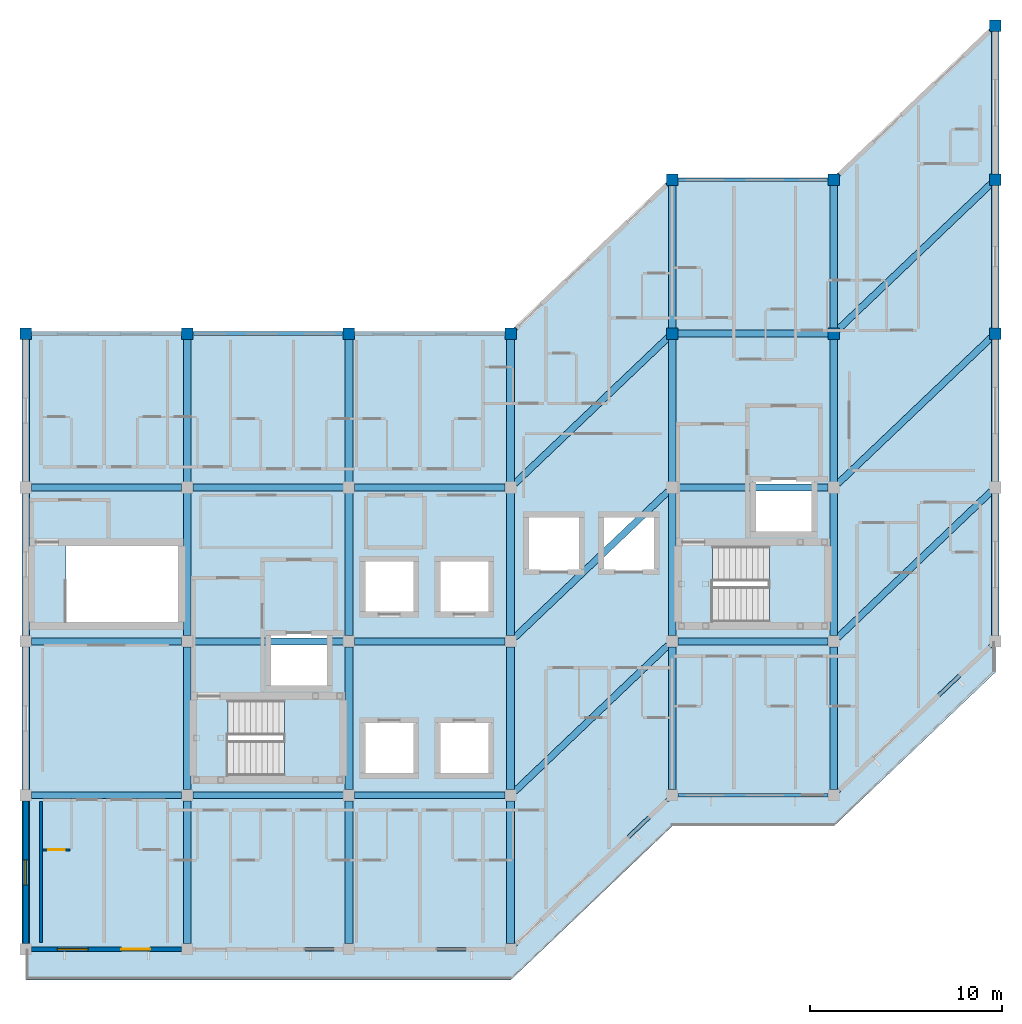
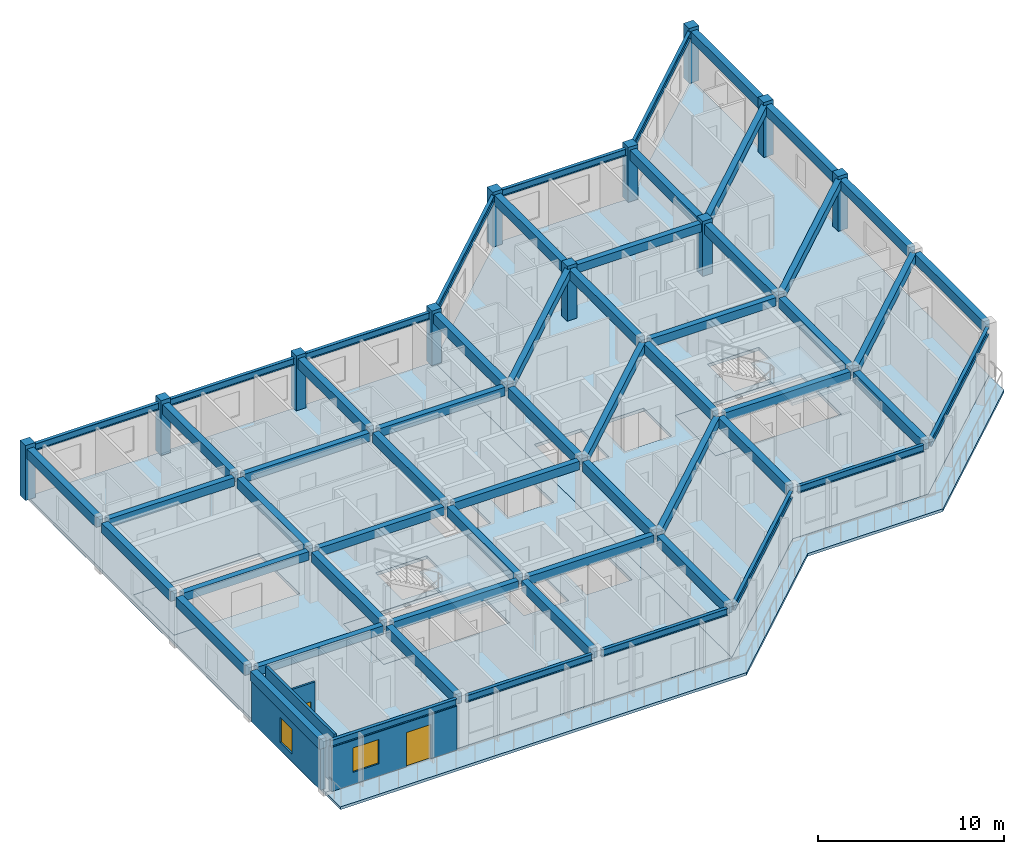
# One storey, part 3 of 14: 58 beams, 11 columns, 8 slabs, 4 walls, 2 doors, 2 windows, 4 openings, 2 elements without a shape of their own.
"""IFC4 building model written with IfcOpenShell, lengths in metres."""

from ifc_helpers import new_model, si_unit, direction, frame, frame_2d, origin, origin_2d, place, context, subcontext, project, spatial, polyline, rectangle, i_section, outline, extrude, material, layer, layer_set, material_profile, profile_set, type_object, element, fill, aggregate, save


model = new_model("IFC4")

# Units and contexts
model_context = context("Model", 3, precision=1e-05, world=origin(), true_north=direction((0.0, 1.0)))
body_context = subcontext(model_context, "Body", "Model", "MODEL_VIEW")
ifc_project = project(units=[si_unit("LENGTHUNIT", "METRE"), si_unit("AREAUNIT", "SQUARE_METRE"), si_unit("VOLUMEUNIT", "CUBIC_METRE"), si_unit("PLANEANGLEUNIT", "RADIAN"), si_unit("MASSUNIT", "GRAM", prefix="KILO")], contexts=[model_context])

# Site, building, storey
site_placement = place(None, origin())
site = spatial("IfcSite", under=ifc_project, at=site_placement, CompositionType="ELEMENT")
building_placement = place(site_placement, origin())
building = spatial("IfcBuilding", under=site, at=building_placement, Name="Naruveol Harbour Congress Hotel", CompositionType="ELEMENT")
storey_placement = place(building_placement, frame((0.0, 0.0, 39.60009765625)))
storey = spatial("IfcBuildingStorey", under=building, at=storey_placement, Name="L09", CompositionType="ELEMENT", Elevation=39.60009765625)

# Columns
ifc_material_1 = material(Name="Concrete C40/50", Category="concrete")
ifc_material_profile_1 = material_profile(ifc_material_1, rectangle(XDim=0.60009765625, YDim=0.60009765625, at=origin_2d()), Name="RC-600x600")
ifc_profile_set_1 = profile_set([ifc_material_profile_1], Name="Concrete C40/50")
column_type = type_object("IfcColumnType", Name="RC UPPER COLUMN 600X600", PredefinedType="COLUMN", material=ifc_profile_set_1)
for number, where, z_axis, x_axis, name in (
    (1, (117.60009765625, 32.0, 0.0), (0.0, 0.0, 1.0), (1.0, 0.0, 0.0), "Column C-600 L09 (117.6,32.0)"),
    (2, (126.0, 32.0, 0.0), (0.0, 0.0, 1.0), (1.0, 0.0, 0.0), "Column C-600 L09 (126.0,32.0)"),
    (3, (134.39990234375, 32.0, 0.0), (0.0, 0.0, 1.0), (1.0, 0.0, 0.0), "Column C-600 L09 (134.4,32.0)"),
    (4, (142.800048828125, 32.0, 0.0), (0.0, 0.0, 1.0), (1.0, 0.0, 0.0), "Column C-600 L09 (142.8,32.0)"),
    (5, (151.199951171875, 40.0, 0.0), (0.0, 0.0, 1.0), (1.0, 0.0, 0.0), "Column C-600 L09 (151.2,40.0)"),
    (6, (159.60009765625, 40.0, 0.0), (0.0, 0.0, 1.0), (1.0, 0.0, 0.0), "Column C-600 L09 (159.6,40.0)"),
    (7, (168.0, 32.0, 0.0), (0.0, 0.0, 1.0), (1.0, 0.0, 0.0), "Column C-600 L09 (168.0,32.0)"),
    (8, (168.0, 48.0, 0.0), (0.0, 0.0, 1.0), (1.0, 0.0, 0.0), "Column C-600 L09 (168.0,48.0)"),
    (9, (151.199951171875, 32.0, 0.0), (0.0, 0.0, 1.0), (1.0, 0.0, 0.0), "Planted hotel column C-600 L09 S4/J3"),
    (10, (159.60009765625, 32.0, 0.0), (0.0, 0.0, 1.0), (1.0, 0.0, 0.0), "Planted hotel column C-600 L09 S5/J3"),
    (11, (168.0, 40.0, 0.0), (0.0, 0.0, 1.0), (1.0, 0.0, 0.0), "Planted hotel column C-600 L09 S6/J3"),
):
    element("IfcColumn", number, at=place(storey_placement, frame(where, z_axis=z_axis, x_axis=x_axis)), inside=storey, type_object=column_type, Name=name, PredefinedType="COLUMN", context=body_context, shape_type="SweptSolid", body=[
        extrude(rectangle(XDim=0.60009765625, YDim=0.60009765625, at=origin_2d()), origin(), (0.0, 0.0, 1.0), 3.599853515625),
    ])

# Beams
ifc_material_2 = material(Name="Concrete C40/50", Category="concrete")
ifc_material_profile_2 = material_profile(ifc_material_2, rectangle(XDim=0.39990234375, YDim=0.64990234375, at=origin_2d()), Name="RCB-400x650")
ifc_profile_set_2 = profile_set([ifc_material_profile_2], Name="Concrete C40/50")
beam_type_1 = type_object("IfcBeamType", Name="RC HOTEL BEAM 400X650", PredefinedType="BEAM", material=ifc_profile_set_2)
for number, where, z_axis, x_axis, name in (
    (12, (117.60009765625, 0.2958984375, 3.014892578125), (0.0, 1.0, 0.0), (-1.0, 0.0, 0.0), "Hotel transverse beam L10 CB4"),
    (13, (117.60009765625, 8.2958984375, 3.014892578125), (0.0, 1.0, 0.0), (-1.0, 0.0, 0.0), "Hotel transverse beam L10 CB4"),
    (14, (117.60009765625, 16.2958984375, 3.014892578125), (0.0, 1.0, 0.0), (-1.0, 0.0, 0.0), "Hotel transverse beam L10 CB4"),
    (15, (117.60009765625, 24.2958984375, 3.014892578125), (0.0, 1.0, 0.0), (-1.0, 0.0, 0.0), "Hotel transverse beam L10 CB4"),
    (16, (126.0, 0.2958984375, 3.014892578125), (0.0, 1.0, 0.0), (-1.0, 0.0, 0.0), "Hotel transverse beam L10 CB4"),
    (17, (126.0, 8.2958984375, 3.014892578125), (0.0, 1.0, 0.0), (-1.0, 0.0, 0.0), "Hotel transverse beam L10 CB4"),
    (18, (126.0, 16.2958984375, 3.014892578125), (0.0, 1.0, 0.0), (-1.0, 0.0, 0.0), "Hotel transverse beam L10 CB4"),
    (19, (126.0, 24.2958984375, 3.014892578125), (0.0, 1.0, 0.0), (-1.0, 0.0, 0.0), "Hotel transverse beam L10 CB4"),
    (20, (134.39990234375, 0.2958984375, 3.06494140625), (0.0, 1.0, 0.0), (-1.0, 0.0, 0.0), "Hotel transverse beam L10 CB4"),
    (21, (134.39990234375, 8.2958984375, 3.06494140625), (0.0, 1.0, 0.0), (-1.0, 0.0, 0.0), "Hotel transverse beam L10 CB4"),
    (22, (134.39990234375, 16.2958984375, 3.06494140625), (0.0, 1.0, 0.0), (-1.0, 0.0, 0.0), "Hotel transverse beam L10 CB4"),
    (23, (134.39990234375, 24.2958984375, 3.06494140625), (0.0, 1.0, 0.0), (-1.0, 0.0, 0.0), "Hotel transverse beam L10 CB4"),
    (24, (142.800048828125, 0.2958984375, 3.06494140625), (0.0, 1.0, 0.0), (-1.0, 0.0, 0.0), "Hotel transverse beam L10 CB4"),
    (25, (142.800048828125, 8.2958984375, 3.06494140625), (0.0, 1.0, 0.0), (-1.0, 0.0, 0.0), "Hotel transverse beam L10 CB4"),
    (26, (142.800048828125, 16.2958984375, 3.06494140625), (0.0, 1.0, 0.0), (-1.0, 0.0, 0.0), "Hotel transverse beam L10 CB4"),
    (27, (142.800048828125, 24.2958984375, 3.06494140625), (0.0, 1.0, 0.0), (-1.0, 0.0, 0.0), "Hotel transverse beam L10 CB4"),
    (28, (151.199951171875, 8.2958984375, 3.06494140625), (0.0, 1.0, 0.0), (-1.0, 0.0, 0.0), "Hotel transverse beam L10 CB4"),
    (29, (151.199951171875, 16.2958984375, 3.06494140625), (0.0, 1.0, 0.0), (-1.0, 0.0, 0.0), "Hotel transverse beam L10 CB4"),
    (30, (151.199951171875, 24.2958984375, 3.06494140625), (0.0, 1.0, 0.0), (-1.0, 0.0, 0.0), "Hotel transverse beam L10 CB4"),
    (31, (151.199951171875, 32.2958984375, 3.06494140625), (0.0, 1.0, 0.0), (-1.0, 0.0, 0.0), "Hotel transverse beam L10 CB4"),
    (32, (159.60009765625, 8.2958984375, 3.06494140625), (0.0, 1.0, 0.0), (-1.0, 0.0, 0.0), "Hotel transverse beam L10 CB4"),
    (33, (159.60009765625, 16.2958984375, 3.06494140625), (0.0, 1.0, 0.0), (-1.0, 0.0, 0.0), "Hotel transverse beam L10 CB4"),
    (34, (159.60009765625, 24.2958984375, 3.06494140625), (0.0, 1.0, 0.0), (-1.0, 0.0, 0.0), "Hotel transverse beam L10 CB4"),
    (35, (159.60009765625, 32.2958984375, 3.06494140625), (0.0, 1.0, 0.0), (-1.0, 0.0, 0.0), "Hotel transverse beam L10 CB4"),
    (36, (168.0, 16.2958984375, 3.06494140625), (0.0, 1.0, 0.0), (-1.0, 0.0, 0.0), "Hotel transverse beam L10 CB4"),
    (37, (168.0, 24.2958984375, 3.06494140625), (0.0, 1.0, 0.0), (-1.0, 0.0, 0.0), "Hotel transverse beam L10 CB4"),
    (38, (168.0, 32.2958984375, 3.06494140625), (0.0, 1.0, 0.0), (-1.0, 0.0, 0.0), "Hotel transverse beam L10 CB4"),
    (39, (168.0, 40.2958984375, 3.06494140625), (0.0, 1.0, 0.0), (-1.0, 0.0, 0.0), "Hotel transverse beam L10 CB4"),
):
    element("IfcBeam", number, at=place(storey_placement, frame(where, z_axis=z_axis, x_axis=x_axis)), inside=storey, type_object=beam_type_1, Name=name, PredefinedType="BEAM", context=body_context, shape_type="SweptSolid", body=[
        extrude(rectangle(XDim=0.39990234375, YDim=0.64990234375, at=origin_2d()), origin(), (0.0, 0.0, 1.0), 7.408203125),
    ])
ifc_material_3 = material(Name="Concrete C40/50", Category="concrete")
ifc_material_profile_3 = material_profile(ifc_material_3, rectangle(XDim=0.35009765625, YDim=0.550048828125, at=origin_2d()), Name="RCB-350x550")
ifc_profile_set_3 = profile_set([ifc_material_profile_3], Name="Concrete C40/50")
beam_type_2 = type_object("IfcBeamType", Name="RC SECONDARY BEAM 350X550", PredefinedType="JOIST", material=ifc_profile_set_3)
for number, where, z_axis, x_axis, name in (
    (40, (117.89599609375, 8.0, 3.06494140625), (1.0, 0.0, 0.0), (0.0, 1.0, 0.0), "Hotel chord beam L10 CJ1"),
    (41, (117.89599609375, 16.0, 3.06494140625), (1.0, 0.0, 0.0), (0.0, 1.0, 0.0), "Hotel chord beam L10 CJ1"),
    (42, (117.89599609375, 24.0, 3.06494140625), (1.0, 0.0, 0.0), (0.0, 1.0, 0.0), "Hotel chord beam L10 CJ1"),
    (43, (126.2958984375, 8.0, 3.06494140625), (1.0, 0.0, 0.0), (0.0, 1.0, 0.0), "Hotel chord beam L10 CJ1"),
    (44, (126.2958984375, 16.0, 3.06494140625), (1.0, 0.0, 0.0), (0.0, 1.0, 0.0), "Hotel chord beam L10 CJ1"),
    (45, (126.2958984375, 24.0, 3.06494140625), (1.0, 0.0, 0.0), (0.0, 1.0, 0.0), "Hotel chord beam L10 CJ1"),
):
    element("IfcBeam", number, at=place(storey_placement, frame(where, z_axis=z_axis, x_axis=x_axis)), inside=storey, type_object=beam_type_2, Name=name, PredefinedType="JOIST", context=body_context, shape_type="SweptSolid", body=[
        extrude(rectangle(XDim=0.35009765625, YDim=0.550048828125, at=origin_2d()), origin(), (0.0, 0.0, 1.0), 7.80810546875),
    ])
for number, where, z_axis, x_axis, name in (
    (46, (134.696044921875, 8.0, 3.114990234375), (1.0, 0.0, 0.0), (0.0, 1.0, 0.0), "Hotel chord beam L10 CJ1"),
    (47, (134.696044921875, 16.0, 3.114990234375), (1.0, 0.0, 0.0), (0.0, 1.0, 0.0), "Hotel chord beam L10 CJ1"),
    (48, (134.696044921875, 24.0, 3.114990234375), (1.0, 0.0, 0.0), (0.0, 1.0, 0.0), "Hotel chord beam L10 CJ1"),
):
    element("IfcBeam", number, at=place(storey_placement, frame(where, z_axis=z_axis, x_axis=x_axis)), inside=storey, type_object=beam_type_2, Name=name, PredefinedType="JOIST", context=body_context, shape_type="SweptSolid", body=[
        extrude(rectangle(XDim=0.35009765625, YDim=0.550048828125, at=origin_2d()), origin(), (0.0, 0.0, 1.0), 7.807861328125),
    ])
for number, where, z_axis, x_axis, name in (
    (49, (143.014404296875, 8.2041015625, 3.114990234375), (0.724129492057, 0.689664033231, 0.0), (-0.689664033231, 0.724129492057, 0.0), "Hotel chord beam L10 CJ1"),
    (50, (143.014404296875, 16.2041015625, 3.114990234375), (0.724129492057, 0.689664033231, 0.0), (-0.689664033231, 0.724129492057, 0.0), "Hotel chord beam L10 CJ1"),
    (51, (143.014404296875, 24.2041015625, 3.114990234375), (0.724129492057, 0.689664033231, 0.0), (-0.689664033231, 0.724129492057, 0.0), "Hotel chord beam L10 CJ1"),
):
    element("IfcBeam", number, at=place(storey_placement, frame(where, z_axis=z_axis, x_axis=x_axis)), inside=storey, type_object=beam_type_2, Name=name, PredefinedType="JOIST", context=body_context, shape_type="SweptSolid", body=[
        extrude(rectangle(XDim=0.35009765625, YDim=0.550048828125, at=origin_2d()), origin(), (0.0, 0.0, 1.0), 11.008056640625),
    ])
for number, where, z_axis, x_axis, name in (
    (52, (151.49609375, 16.0, 3.114990234375), (1.0, 0.0, 0.0), (0.0, 1.0, 0.0), "Hotel chord beam L10 CJ1"),
    (53, (151.49609375, 24.0, 3.114990234375), (1.0, 0.0, 0.0), (0.0, 1.0, 0.0), "Hotel chord beam L10 CJ1"),
    (54, (151.49609375, 32.0, 3.114990234375), (1.0, 0.0, 0.0), (0.0, 1.0, 0.0), "Hotel chord beam L10 CJ1"),
):
    element("IfcBeam", number, at=place(storey_placement, frame(where, z_axis=z_axis, x_axis=x_axis)), inside=storey, type_object=beam_type_2, Name=name, PredefinedType="JOIST", context=body_context, shape_type="SweptSolid", body=[
        extrude(rectangle(XDim=0.35009765625, YDim=0.550048828125, at=origin_2d()), origin(), (0.0, 0.0, 1.0), 7.807861328125),
    ])
for number, where, z_axis, x_axis, name in (
    (55, (159.814208984375, 16.2041015625, 3.114990234375), (0.724140040728, 0.689652957229, 0.0), (-0.689652957229, 0.724140040728, 0.0), "Hotel chord beam L10 CJ1"),
    (56, (159.814208984375, 24.2041015625, 3.114990234375), (0.724140040728, 0.689652957229, 0.0), (-0.689652957229, 0.724140040728, 0.0), "Hotel chord beam L10 CJ1"),
    (57, (159.814208984375, 32.2041015625, 3.114990234375), (0.724140040728, 0.689652957229, 0.0), (-0.689652957229, 0.724140040728, 0.0), "Hotel chord beam L10 CJ1"),
):
    element("IfcBeam", number, at=place(storey_placement, frame(where, z_axis=z_axis, x_axis=x_axis)), inside=storey, type_object=beam_type_2, Name=name, PredefinedType="JOIST", context=body_context, shape_type="SweptSolid", body=[
        extrude(rectangle(XDim=0.35009765625, YDim=0.550048828125, at=origin_2d()), origin(), (0.0, 0.0, 1.0), 11.008056640625),
    ])
ifc_material_4 = material(Name="Steel SN490", Category="steel")
ifc_material_profile_4 = material_profile(ifc_material_4, i_section(OverallWidth=0.199951171875, OverallDepth=0.449951171875, WebThickness=0.009033203125, FlangeThickness=0.013916015625, at=origin_2d()), Name="H-450x200x9x14")
ifc_profile_set_4 = profile_set([ifc_material_profile_4], Name="Steel SN490")
beam_type_3 = type_object("IfcBeamType", Name="STEEL SPANDREL EDGE BEAM H450", PredefinedType="SPANDREL", material=ifc_profile_set_4)
for number, where, z_axis, x_axis, name in (
    (58, (117.89599609375, 0.0, 3.114990234375), (1.0, 0.0, 0.0), (0.0, 1.0, 0.0), "Hotel chord beam L10 SPB2"),
    (59, (117.89599609375, 32.0, 3.114990234375), (1.0, 0.0, 0.0), (0.0, 1.0, 0.0), "Hotel chord beam L10 SPB2"),
    (60, (126.2958984375, 0.0, 3.114990234375), (1.0, 0.0, 0.0), (0.0, 1.0, 0.0), "Hotel chord beam L10 SPB2"),
    (61, (126.2958984375, 32.0, 3.114990234375), (1.0, 0.0, 0.0), (0.0, 1.0, 0.0), "Hotel chord beam L10 SPB2"),
):
    element("IfcBeam", number, at=place(storey_placement, frame(where, z_axis=z_axis, x_axis=x_axis)), inside=storey, type_object=beam_type_3, Name=name, PredefinedType="SPANDREL", context=body_context, shape_type="SweptSolid", body=[
        extrude(i_section(OverallWidth=0.199951171875, OverallDepth=0.449951171875, WebThickness=0.009033203125, FlangeThickness=0.013916015625, at=origin_2d()), origin(), (0.0, 0.0, 1.0), 7.80810546875),
    ])
for number, where, z_axis, x_axis, name in (
    (62, (134.696044921875, 0.0, 3.164794921875), (1.0, 0.0, 0.0), (0.0, 1.0, 0.0), "Hotel chord beam L10 SPB2"),
    (63, (134.696044921875, 32.0, 3.164794921875), (1.0, 0.0, 0.0), (0.0, 1.0, 0.0), "Hotel chord beam L10 SPB2"),
):
    element("IfcBeam", number, at=place(storey_placement, frame(where, z_axis=z_axis, x_axis=x_axis)), inside=storey, type_object=beam_type_3, Name=name, PredefinedType="SPANDREL", context=body_context, shape_type="SweptSolid", body=[
        extrude(i_section(OverallWidth=0.199951171875, OverallDepth=0.449951171875, WebThickness=0.009033203125, FlangeThickness=0.013916015625, at=origin_2d()), origin(), (0.0, 0.0, 1.0), 7.807861328125),
    ])
for number, where, z_axis, x_axis, name in (
    (64, (143.014404296875, 0.2041015625, 3.164794921875), (0.724129492057, 0.689664033231, 0.0), (-0.689664033231, 0.724129492057, 0.0), "Hotel chord beam L10 SPB2"),
    (65, (143.014404296875, 32.2041015625, 3.164794921875), (0.724129492057, 0.689664033231, 0.0), (-0.689664033231, 0.724129492057, 0.0), "Hotel chord beam L10 SPB2"),
):
    element("IfcBeam", number, at=place(storey_placement, frame(where, z_axis=z_axis, x_axis=x_axis)), inside=storey, type_object=beam_type_3, Name=name, PredefinedType="SPANDREL", context=body_context, shape_type="SweptSolid", body=[
        extrude(i_section(OverallWidth=0.199951171875, OverallDepth=0.449951171875, WebThickness=0.009033203125, FlangeThickness=0.013916015625, at=origin_2d()), origin(), (0.0, 0.0, 1.0), 11.008056640625),
    ])
for number, where, z_axis, x_axis, name in (
    (66, (151.49609375, 8.0, 3.164794921875), (1.0, 0.0, 0.0), (0.0, 1.0, 0.0), "Hotel chord beam L10 SPB2"),
    (67, (151.49609375, 40.0, 3.164794921875), (1.0, 0.0, 0.0), (0.0, 1.0, 0.0), "Hotel chord beam L10 SPB2"),
):
    element("IfcBeam", number, at=place(storey_placement, frame(where, z_axis=z_axis, x_axis=x_axis)), inside=storey, type_object=beam_type_3, Name=name, PredefinedType="SPANDREL", context=body_context, shape_type="SweptSolid", body=[
        extrude(i_section(OverallWidth=0.199951171875, OverallDepth=0.449951171875, WebThickness=0.009033203125, FlangeThickness=0.013916015625, at=origin_2d()), origin(), (0.0, 0.0, 1.0), 7.807861328125),
    ])
for number, where, z_axis, x_axis, name in (
    (68, (159.814208984375, 8.2041015625, 3.164794921875), (0.724140040728, 0.689652957229, 0.0), (-0.689652957229, 0.724140040728, 0.0), "Hotel chord beam L10 SPB2"),
    (69, (159.814208984375, 40.2041015625, 3.164794921875), (0.724140040728, 0.689652957229, 0.0), (-0.689652957229, 0.724140040728, 0.0), "Hotel chord beam L10 SPB2"),
):
    element("IfcBeam", number, at=place(storey_placement, frame(where, z_axis=z_axis, x_axis=x_axis)), inside=storey, type_object=beam_type_3, Name=name, PredefinedType="SPANDREL", context=body_context, shape_type="SweptSolid", body=[
        extrude(i_section(OverallWidth=0.199951171875, OverallDepth=0.449951171875, WebThickness=0.009033203125, FlangeThickness=0.013916015625, at=origin_2d()), origin(), (0.0, 0.0, 1.0), 11.008056640625),
    ])

# Slabs
ifc_material_5 = material(Name="Concrete C40/50", Category="concrete")
ifc_layer_1 = layer(ifc_material_5, 0.2099609375)
ifc_layer_set_1 = layer_set([ifc_layer_1], Name="Concrete C40/50")
slab_type_1 = type_object("IfcSlabType", Name="RC HOTEL UPPER FLOOR SLAB 210", PredefinedType="FLOOR", material=ifc_layer_set_1)
slab_1_placement = place(storey_placement, frame((0.0, 0.0, -0.210205078125)))
element("IfcSlab", 70, at=slab_1_placement, inside=storey, type_object=slab_type_1, Name="Level L09 Hotel W S-curve floor slab", PredefinedType="FLOOR", context=body_context, shape_type="SweptSolid", body=[
    extrude(outline(polyline([(117.60009765625, 0.0), (126.0, 0.0), (134.39990234375, 0.0), (142.800048828125, 0.0), (142.800048828125, 32.0), (134.39990234375, 32.0), (126.0, 32.0), (117.60009765625, 32.0), (117.60009765625, 0.0)]), holes=[polyline([(126.300048828125, 8.800048828125), (134.10009765625, 8.800048828125), (134.10009765625, 13.159912109375), (126.300048828125, 13.159912109375), (126.300048828125, 8.800048828125)]), polyline([(117.89990234375, 16.800048828125), (125.699951171875, 16.800048828125), (125.699951171875, 21.159912109375), (117.89990234375, 21.159912109375), (117.89990234375, 16.800048828125)]), polyline([(135.10009765625, 17.39990234375), (137.89990234375, 17.39990234375), (137.89990234375, 20.300048828125), (135.10009765625, 20.300048828125), (135.10009765625, 17.39990234375)]), polyline([(139.0, 17.39990234375), (141.800048828125, 17.39990234375), (141.800048828125, 20.300048828125), (139.0, 20.300048828125), (139.0, 17.39990234375)]), polyline([(135.10009765625, 9.0), (137.89990234375, 9.0), (137.89990234375, 11.89990234375), (135.10009765625, 11.89990234375), (135.10009765625, 9.0)]), polyline([(139.0, 9.0), (141.800048828125, 9.0), (141.800048828125, 11.89990234375), (139.0, 11.89990234375), (139.0, 9.0)]), polyline([(130.199951171875, 13.550048828125), (133.39990234375, 13.550048828125), (133.39990234375, 16.449951171875), (130.199951171875, 16.449951171875), (130.199951171875, 13.550048828125)])]), origin(), (0.0, 0.0, 1.0), 0.210205078125),
])
slab_2_placement = place(storey_placement, frame((0.0, 0.0, -0.210205078125)))
element("IfcSlab", 71, at=slab_2_placement, inside=storey, type_object=slab_type_1, Name="Level L09 Hotel E S-curve floor slab", PredefinedType="FLOOR", context=body_context, shape_type="SweptSolid", body=[
    extrude(outline(polyline([(142.800048828125, 0.0), (151.199951171875, 8.0), (159.60009765625, 8.0), (168.0, 16.0), (168.0, 48.0), (159.60009765625, 40.0), (151.199951171875, 40.0), (142.800048828125, 32.0), (142.800048828125, 0.0)]), holes=[polyline([(151.5, 16.800048828125), (159.300048828125, 16.800048828125), (159.300048828125, 21.159912109375), (151.5, 21.159912109375), (151.5, 16.800048828125)]), polyline([(155.39990234375, 21.550048828125), (158.60009765625, 21.550048828125), (158.60009765625, 24.449951171875), (155.39990234375, 24.449951171875), (155.39990234375, 21.550048828125)]), polyline([(143.60009765625, 19.60009765625), (146.5, 19.60009765625), (146.5, 22.60009765625), (143.60009765625, 22.60009765625), (143.60009765625, 19.60009765625)]), polyline([(147.5, 19.60009765625), (150.39990234375, 19.60009765625), (150.39990234375, 22.60009765625), (147.5, 22.60009765625), (147.5, 19.60009765625)])]), origin(), (0.0, 0.0, 1.0), 0.210205078125),
])
ifc_material_6 = material(Name="Concrete C40/50", Category="concrete")
ifc_layer_2 = layer(ifc_material_6, 0.179931640625)
ifc_layer_set_2 = layer_set([ifc_layer_2], Name="Concrete C40/50")
slab_type_2 = type_object("IfcSlabType", Name="RC STAIR HALF LANDING SLAB 180", PredefinedType="LANDING", material=ifc_layer_set_2)
slab_3_placement = place(storey_placement, frame((0.0, 0.0, -0.18017578125)))
element("IfcSlab", 72, at=slab_3_placement, inside=storey, type_object=slab_type_2, Name="Stair ST1 L09 floor landing", PredefinedType="LANDING", context=body_context, shape_type="SweptSolid", body=[
    extrude(outline(polyline([(126.300048828125, 8.800048828125), (128.10009765625, 8.800048828125), (128.10009765625, 13.159912109375), (126.300048828125, 13.159912109375), (126.300048828125, 8.800048828125)])), origin(), (0.0, 0.0, 1.0), 0.18017578125),
])

# Stair, slab
ifc_material_7 = material(Name="Concrete C40/50", Category="concrete")
stair_type = type_object("IfcStairType", Name="RC DOG LEG ESCAPE STAIR 1800W H3600", PredefinedType="HALF_TURN_STAIR", material=ifc_material_7)
stair_1_placement = place(storey_placement, origin())
stair_1 = element("IfcStair", 73, at=stair_1_placement, inside=storey, type_object=stair_type, Name="Special Escape Stair ST1 L09 to L10", PredefinedType="HALF_TURN_STAIR")
slab_4_placement = place(storey_placement, frame((0.0, 0.0, 1.619873046875)))
slab_4 = element("IfcSlab", 74, at=slab_4_placement, type_object=slab_type_2, Name="ST1 L09 half landing", PredefinedType="LANDING", context=body_context, shape_type="SweptSolid", body=[
    extrude(outline(polyline([(131.050048828125, 8.800048828125), (134.10009765625, 8.800048828125), (134.10009765625, 13.159912109375), (131.050048828125, 13.159912109375), (131.050048828125, 8.800048828125)])), origin(), (0.0, 0.0, 1.0), 0.179931640625),
])
aggregate(stair_1, [slab_4])

# Slab
slab_5_placement = place(storey_placement, frame((0.0, 0.0, -0.18017578125)))
element("IfcSlab", 75, at=slab_5_placement, inside=storey, type_object=slab_type_2, Name="Stair ST2 L09 floor landing", PredefinedType="LANDING", context=body_context, shape_type="SweptSolid", body=[
    extrude(outline(polyline([(151.5, 16.800048828125), (153.300048828125, 16.800048828125), (153.300048828125, 21.159912109375), (151.5, 21.159912109375), (151.5, 16.800048828125)])), origin(), (0.0, 0.0, 1.0), 0.18017578125),
])

# Stair, slab
stair_2_placement = place(storey_placement, origin())
stair_2 = element("IfcStair", 76, at=stair_2_placement, inside=storey, type_object=stair_type, Name="Special Escape Stair ST2 L09 to L10", PredefinedType="HALF_TURN_STAIR")
slab_6_placement = place(storey_placement, frame((0.0, 0.0, 1.619873046875)))
slab_6 = element("IfcSlab", 77, at=slab_6_placement, type_object=slab_type_2, Name="ST2 L09 half landing", PredefinedType="LANDING", context=body_context, shape_type="SweptSolid", body=[
    extrude(outline(polyline([(156.25, 16.800048828125), (159.300048828125, 16.800048828125), (159.300048828125, 21.159912109375), (156.25, 21.159912109375), (156.25, 16.800048828125)])), origin(), (0.0, 0.0, 1.0), 0.179931640625),
])
aggregate(stair_2, [slab_6])

# Slabs
slab_7_placement = place(storey_placement, frame((0.0, 0.0, -0.18017578125)))
element("IfcSlab", 78, at=slab_7_placement, inside=storey, type_object=slab_type_2, Name="Stair ST3 L09 floor landing", PredefinedType="LANDING", context=body_context, shape_type="SweptSolid", body=[
    extrude(outline(polyline([(117.89990234375, 16.800048828125), (119.699951171875, 16.800048828125), (119.699951171875, 21.159912109375), (117.89990234375, 21.159912109375), (117.89990234375, 16.800048828125)])), origin(), (0.0, 0.0, 1.0), 0.18017578125),
])
ifc_material_8 = material(Name="Concrete C40/50", Category="concrete")
ifc_layer_3 = layer(ifc_material_8, 0.179931640625)
ifc_layer_set_3 = layer_set([ifc_layer_3], Name="Concrete C40/50")
slab_type_3 = type_object("IfcSlabType", Name="RC TERRACE AND LANDING SLAB 180", PredefinedType="FLOOR", material=ifc_layer_set_3)
slab_8_placement = place(storey_placement, frame((0.0, 0.0, -0.18017578125)))
element("IfcSlab", 79, at=slab_8_placement, inside=storey, type_object=slab_type_3, Name="Level L09 Harbourfront brise-soleil balcony", PredefinedType="FLOOR", context=body_context, shape_type="SweptSolid", body=[
    extrude(outline(polyline([(117.60009765625, -1.60009765625), (126.0, -1.60009765625), (134.39990234375, -1.60009765625), (142.800048828125, -1.60009765625), (151.199951171875, 6.39990234375), (159.60009765625, 6.39990234375), (168.0, 14.39990234375), (168.0, 15.9951171875), (159.60009765625, 7.9951171875), (151.199951171875, 7.9951171875), (142.800048828125, -0.0048828125), (134.39990234375, -0.0048828125), (126.0, -0.0048828125), (117.60009765625, -0.0048828125), (117.60009765625, -1.60009765625)])), origin(), (0.0, 0.0, 1.0), 0.18017578125),
])

# Wall, opening, window
ifc_material_9 = material(Name="Precast concrete C40/50", Category="concrete")
ifc_layer_4 = layer(ifc_material_9, 0.280029296875)
ifc_layer_set_4 = layer_set([ifc_layer_4], Name="Precast concrete C40/50")
wall_type_1 = type_object("IfcWallType", Name="ARCHITECTURAL PRECAST FACADE WALL 280", PredefinedType="SOLIDWALL", material=ifc_layer_set_4)
wall_1_placement = place(storey_placement, frame((117.60009765625, 0.300048828125, 0.0), z_axis=(0.0, 0.0, 1.0), x_axis=(0.0, 1.0, 0.0)))
wall_1 = element("IfcWall", 80, at=wall_1_placement, inside=storey, type_object=wall_type_1, Name="Hotel west gable wall L09 EW-280", PredefinedType="SOLIDWALL", context=body_context, shape_type="SweptSolid", body=[
    extrude(rectangle(XDim=7.39990234375, YDim=0.280029296875, at=frame_2d((3.699951171875, 0.0))), origin(), (0.0, 0.0, 1.0), 2.699951171875),
])
opening_1_placement = place(wall_1_placement, frame((3.050048828125, 0.0, 0.5)))
opening_1 = element("IfcOpeningElement", 81, at=opening_1_placement, cuts=wall_1, Name="Opening W-27", PredefinedType="OPENING", context=body_context, shape_type="SweptSolid", body=[
    extrude(rectangle(XDim=1.300048828125, YDim=1.64990234375, at=frame_2d((0.64990234375, 0.824951171875))), frame((0.0, 0.14990234375, 0.0), z_axis=(0.0, -1.0, 0.0), x_axis=(1.0, 0.0, 0.0)), (0.0, 0.0, 1.0), 0.300048828125),
])
ifc_material_10 = material(Name="Low-E Triple Glazing in Thermal Aluminium", Category="aluminium")
window_type_1 = type_object("IfcWindowType", Name="READING SALON TALL WINDOW 1300X1650", PartitioningType="SINGLE_PANEL", PredefinedType="WINDOW", material=ifc_material_10)
window_1_placement = place(opening_1_placement, origin())
window_1 = element("IfcWindow", 82, at=window_1_placement, inside=storey, type_object=window_type_1, Name="Window W-27 #475", OverallHeight=1.64990234375, OverallWidth=1.300048828125, PartitioningType="SINGLE_PANEL", PredefinedType="WINDOW", context=body_context, shape_type="SweptSolid", body=[
    extrude(rectangle(XDim=1.300048828125, YDim=1.64990234375, at=frame_2d((0.64990234375, 0.824951171875))), frame((0.0, 0.030029296875, 0.0), z_axis=(0.0, -1.0, 0.0), x_axis=(1.0, 0.0, 0.0)), (0.0, 0.0, 1.0), 0.06005859375),
])
fill(opening_1, window_1)

# Wall, opening, door
ifc_material_11 = material(Name="Moisture-Resistant Gypsum Partition", Category="gypsum")
ifc_layer_5 = layer(ifc_material_11, 0.114990234375)
ifc_layer_set_5 = layer_set([ifc_layer_5], Name="Moisture-Resistant Gypsum Partition")
wall_type_2 = type_object("IfcWallType", Name="BATHROOM MOISTURE PARTITION WALL 115", PredefinedType="PARTITIONING", material=ifc_layer_set_5)
wall_2_placement = place(storey_placement, frame((118.5, 5.159912109375, 0.0), z_axis=(0.0, 0.0, 1.0), x_axis=(1.0, 0.0, 0.0)))
wall_2 = element("IfcWall", 83, at=wall_2_placement, inside=storey, type_object=wall_type_2, Name="Bathroom south wall 1051 PW-115", PredefinedType="PARTITIONING", context=body_context, shape_type="SweptSolid", body=[
    extrude(rectangle(XDim=1.409912109375, YDim=0.114990234375, at=frame_2d((0.705078125, 0.0))), origin(), (0.0, 0.0, 1.0), 3.3349609375),
])
opening_2_placement = place(wall_2_placement, frame((0.27490234375, 0.0, 0.0)))
opening_2 = element("IfcOpeningElement", 84, at=opening_2_placement, cuts=wall_2, Name="Opening BD-RM1051", PredefinedType="OPENING", context=body_context, shape_type="SweptSolid", body=[
    extrude(rectangle(XDim=0.860107421875, YDim=2.1201171875, at=frame_2d((0.43017578125, 1.06005859375))), frame((0.0, 0.0673828125, 0.0), z_axis=(0.0, -1.0, 0.0), x_axis=(1.0, 0.0, 0.0)), (0.0, 0.0, 1.0), 0.135009765625),
])
ifc_material_12 = material(Name="Timber & Steel Acoustic Leaf", Category="steel")
door_type_1 = type_object("IfcDoorType", Name="GUEST BATHROOM DOOR 860X2120", OperationType="NOTDEFINED", PredefinedType="DOOR", material=ifc_material_12)
door_1_placement = place(opening_2_placement, origin())
door_1 = element("IfcDoor", 85, at=door_1_placement, inside=storey, type_object=door_type_1, Name="Bathroom Door 1051", OperationType="SINGLE_SWING_RIGHT", OverallHeight=2.1201171875, OverallWidth=0.860107421875, PredefinedType="DOOR", context=body_context, shape_type="SweptSolid", body=[
    extrude(rectangle(XDim=0.860107421875, YDim=2.1201171875, at=frame_2d((0.43017578125, 1.06005859375))), frame((0.0, 0.02490234375, 0.0), z_axis=(0.0, -1.0, 0.0), x_axis=(1.0, 0.0, 0.0)), (0.0, 0.0, 1.0), 0.050048828125),
])
fill(opening_2, door_1)

# Wall
ifc_material_13 = material(Name="Autoclaved Aerated Concrete Block", Category="concrete")
ifc_layer_6 = layer(ifc_material_13, 0.159912109375)
ifc_layer_set_6 = layer_set([ifc_layer_6], Name="Autoclaved Aerated Concrete Block")
wall_type_3 = type_object("IfcWallType", Name="HOTEL PARTY AND CORRIDOR WALL 160 EI60", PredefinedType="PARTITIONING", material=ifc_layer_set_6)
wall_3_placement = place(storey_placement, frame((118.39990234375, 0.340087890625, 0.0), z_axis=(0.0, 0.0, 1.0), x_axis=(0.0, 1.0, 0.0)))
element("IfcWall", 86, at=wall_3_placement, inside=storey, type_object=wall_type_3, Name="Hotel party wall 1051 PW-160", PredefinedType="PARTITIONING", context=body_context, shape_type="SweptSolid", body=[
    extrude(rectangle(XDim=7.329833984375, YDim=0.159912109375, at=frame_2d((3.6650390625, 0.0))), origin(), (0.0, 0.0, 1.0), 3.3349609375),
])

# Wall, openings, window, door
ifc_material_14 = material(Name="Concrete C40/50", Category="concrete")
ifc_layer_7 = layer(ifc_material_14, 0.239990234375)
ifc_layer_set_7 = layer_set([ifc_layer_7], Name="Concrete C40/50")
wall_type_4 = type_object("IfcWallType", Name="INSULATED HOTEL SPANDREL WALL 240", PredefinedType="SOLIDWALL", material=ifc_layer_set_7)
wall_4_placement = place(storey_placement, frame((125.699951171875, 0.0, 0.0), z_axis=(0.0, 0.0, 1.0), x_axis=(-1.0, 0.0, 0.0)))
wall_4 = element("IfcWall", 87, at=wall_4_placement, inside=storey, type_object=wall_type_4, Name="Hotel south waterfront wall L09 EW-240", PredefinedType="SOLIDWALL", context=body_context, shape_type="SweptSolid", body=[
    extrude(rectangle(XDim=7.800048828125, YDim=0.239990234375, at=frame_2d((3.89990234375, 0.0))), origin(), (0.0, 0.0, 1.0), 2.889892578125),
])
opening_3_placement = place(wall_4_placement, frame((1.6298828125, 0.0, 0.0)))
opening_3 = element("IfcOpeningElement", 88, at=opening_3_placement, cuts=wall_4, Name="Opening BD-150-067", PredefinedType="OPENING", context=body_context, shape_type="SweptSolid", body=[
    extrude(rectangle(XDim=1.5, YDim=2.25, at=frame_2d((0.75, 1.125))), frame((0.0, 0.1298828125, 0.0), z_axis=(0.0, -1.0, 0.0), x_axis=(1.0, 0.0, 0.0)), (0.0, 0.0, 1.0), 0.260009765625),
])
opening_4_placement = place(wall_4_placement, frame((4.860107421875, 0.0, 0.800048828125)))
opening_4 = element("IfcOpeningElement", 89, at=opening_4_placement, cuts=wall_4, Name="Opening W-03", PredefinedType="OPENING", context=body_context, shape_type="SweptSolid", body=[
    extrude(rectangle(XDim=1.60009765625, YDim=1.60009765625, at=frame_2d((0.800048828125, 0.800048828125))), frame((0.0, 0.1298828125, 0.0), z_axis=(0.0, -1.0, 0.0), x_axis=(1.0, 0.0, 0.0)), (0.0, 0.0, 1.0), 0.260009765625),
])
ifc_material_15 = material(Name="Low-E Triple Glazing in Thermal Aluminium", Category="aluminium")
window_type_2 = type_object("IfcWindowType", Name="DELUXE GUEST WINDOW 1600X1600", PartitioningType="SINGLE_PANEL", PredefinedType="WINDOW", material=ifc_material_15)
window_2_placement = place(opening_4_placement, origin())
window_2 = element("IfcWindow", 90, at=window_2_placement, inside=storey, type_object=window_type_2, Name="Window W-03 #447", OverallHeight=1.60009765625, OverallWidth=1.60009765625, PartitioningType="SINGLE_PANEL", PredefinedType="WINDOW", context=body_context, shape_type="SweptSolid", body=[
    extrude(rectangle(XDim=1.60009765625, YDim=1.60009765625, at=frame_2d((0.800048828125, 0.800048828125))), frame((0.0, 0.030029296875, 0.0), z_axis=(0.0, -1.0, 0.0), x_axis=(1.0, 0.0, 0.0)), (0.0, 0.0, 1.0), 0.06005859375),
])
fill(opening_4, window_2)
ifc_material_16 = material(Name="Powder-Coated Steel & Insulated Glazing", Category="steel")
door_type_2 = type_object("IfcDoorType", Name="SUITE BALCONY SLIDING DOOR 1500X2250", OperationType="SLIDING_TO_LEFT", PredefinedType="DOOR", material=ifc_material_16)
door_2_placement = place(opening_3_placement, origin())
door_2 = element("IfcDoor", 91, at=door_2_placement, inside=storey, type_object=door_type_2, Name="Exterior door BD-150-067", OperationType="SLIDING_TO_LEFT", OverallHeight=2.25, OverallWidth=1.5, PredefinedType="DOOR", context=body_context, shape_type="SweptSolid", body=[
    extrude(rectangle(XDim=1.5, YDim=2.25, at=frame_2d((0.75, 1.125))), frame((0.0, 0.02490234375, 0.0), z_axis=(0.0, -1.0, 0.0), x_axis=(1.0, 0.0, 0.0)), (0.0, 0.0, 1.0), 0.050048828125),
])
fill(opening_3, door_2)

save(model, "model.ifc")
